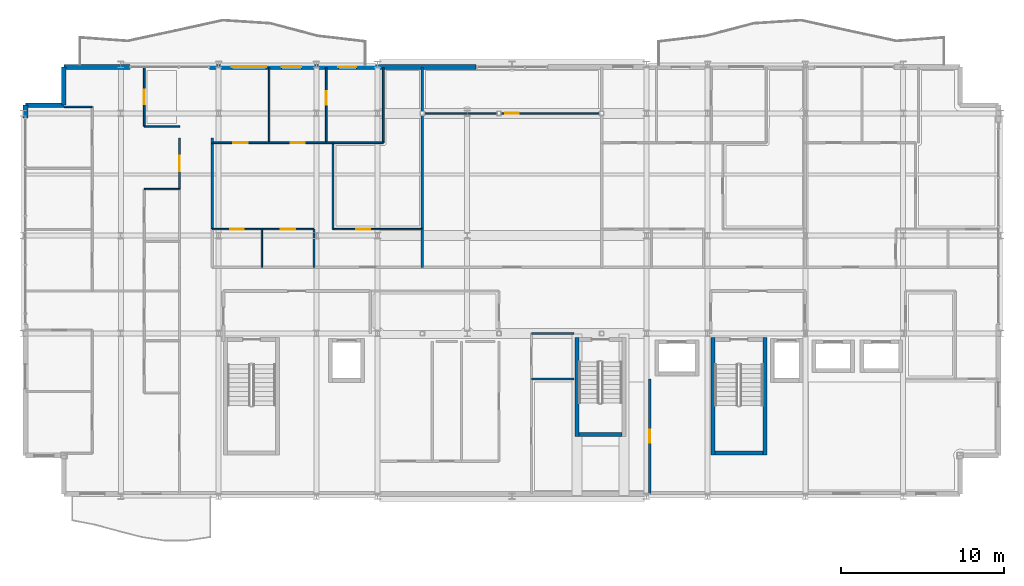
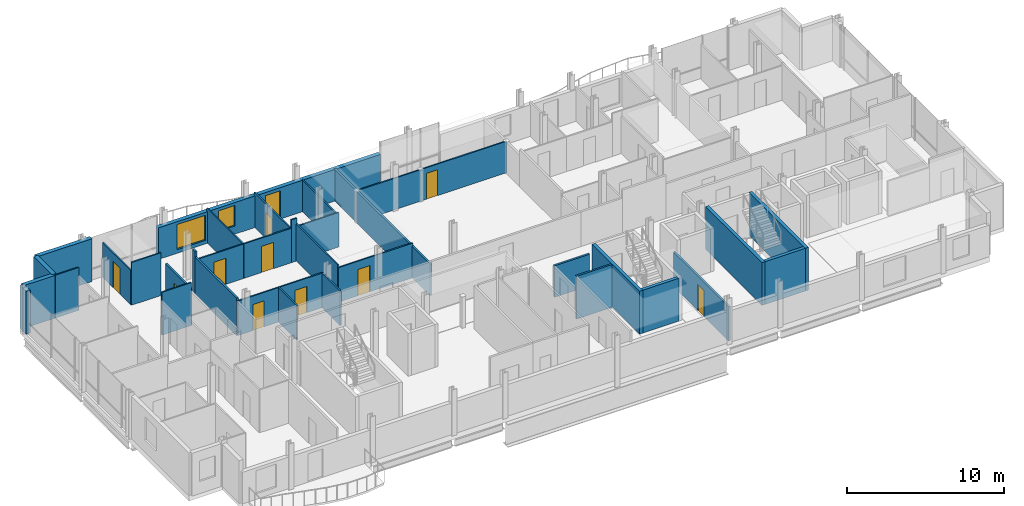
# One storey, part 28 of 35: 37 walls, 11 doors, 2 windows, 13 openings.
"""IFC4 building model written with IfcOpenShell, lengths in metres."""

import ifcopenshell
import ifcopenshell.guid

model = None  # the IFC model being written
_history = None  # IfcOwnerHistory: only IFC2X3 demands one
_inside = {}  # id of a spatial element -> (the spatial element, [elements in it])
_under = {}  # id of a project, library or spatial element -> (it, [spatial elements below it])
_declared = {}  # id of a project -> (the project, [libraries it declares])
_typed = {}  # id of a type object -> (the type object, [elements of that type])
_made_of = {}  # id of a material, layer set ... -> (it, [elements and type objects made of it])


def new_model(schema):
    """Start an empty IFC model of exactly this schema.

    Asked for "IFC4X3", IfcOpenShell would pick the latest addendum, in which some entities
    have other attributes; the version numbers below select the first issue.
    IFC2X3 requires an IfcOwnerHistory on every rooted entity: one is made here for all.
    """
    global model, _history
    if schema == "IFC4X3":
        model = ifcopenshell.file(schema_version=(4, 3, 0, 0))
    else:
        model = ifcopenshell.file(schema=schema)
    _inside.clear()
    _under.clear()
    _declared.clear()
    _typed.clear()
    _made_of.clear()
    _history = None
    if model.schema == "IFC2X3":
        org = make("IfcOrganization", Name="unknown")
        user = make(
            "IfcPersonAndOrganization",
            ThePerson=make("IfcPerson", FamilyName="unknown"),
            TheOrganization=org,
        )
        app = make(
            "IfcApplication",
            ApplicationDeveloper=org,
            Version="unknown",
            ApplicationFullName="unknown",
            ApplicationIdentifier="unknown",
        )
        _history = make(
            "IfcOwnerHistory",
            OwningUser=user,
            OwningApplication=app,
            ChangeAction="ADDED",
            CreationDate=0,
        )
    return model


def make(cls, **values):
    """One entity of the class cls with the attributes given. An attribute that is None is left unset."""
    return model.create_entity(
        cls, **{name: value for name, value in values.items() if value is not None}
    )


def rooted(cls, **values):
    """An entity with a GlobalId (a new one), such as an element, a storey or a relation."""
    return make(cls, GlobalId=ifcopenshell.guid.new(), OwnerHistory=_history, **values)


def si_unit(unit_type, name, prefix=None):
    """IfcSIUnit, for example si_unit("LENGTHUNIT", "METRE", prefix="MILLI")."""
    return make("IfcSIUnit", UnitType=unit_type, Prefix=prefix, Name=name)


def assignment(units):
    """IfcUnitAssignment: the units of a project."""
    return None if units is None else make("IfcUnitAssignment", Units=units)


def point(xyz):
    """IfcCartesianPoint."""
    return None if xyz is None else make("IfcCartesianPoint", Coordinates=xyz)


def direction(xyz):
    """IfcDirection."""
    return None if xyz is None else make("IfcDirection", DirectionRatios=xyz)


def frame(location, z_axis=None, x_axis=None):
    """IfcAxis2Placement3D, a coordinate frame: its origin and axes. An axis left out is left unset."""
    return make(
        "IfcAxis2Placement3D",
        Location=point(location),
        Axis=direction(z_axis),
        RefDirection=direction(x_axis),
    )


def frame_2d(location, x_axis=None):
    """IfcAxis2Placement2D, a coordinate frame in the plane: its origin and x axis."""
    return make(
        "IfcAxis2Placement2D", Location=point(location), RefDirection=direction(x_axis)
    )


def origin():
    """The frame at (0, 0, 0) with its axes left unset."""
    return frame((0.0, 0.0, 0.0))


def place(relative_to, where):
    """IfcLocalPlacement: puts the frame where relative to a parent placement (None: the world)."""
    return make(
        "IfcLocalPlacement", PlacementRelTo=relative_to, RelativePlacement=where
    )


def context(
    kind, dimensions, precision=None, world=None, true_north=None, identifier=None
):
    """IfcGeometricRepresentationContext, for example the 3D "Model" context."""
    return make(
        "IfcGeometricRepresentationContext",
        ContextIdentifier=identifier,
        ContextType=kind,
        CoordinateSpaceDimension=dimensions,
        Precision=precision,
        WorldCoordinateSystem=world,
        TrueNorth=true_north,
    )


def subcontext(parent, identifier, kind, view, scale=None):
    """IfcGeometricRepresentationSubContext, for example "Body" below "Model"."""
    return make(
        "IfcGeometricRepresentationSubContext",
        ContextIdentifier=identifier,
        ContextType=kind,
        ParentContext=parent,
        TargetScale=scale,
        TargetView=view,
    )


def project(units=None, contexts=None):
    """IfcProject with its units and contexts."""
    return rooted(
        "IfcProject",
        Name="project",
        RepresentationContexts=contexts,
        UnitsInContext=assignment(units),
    )


def spatial(cls, under=None, at=None, **own):
    """A site, building, storey or space (cls), placed at a placement, below another one or the project."""
    s = rooted(cls, ObjectPlacement=at, **own)
    if under is not None:
        _under.setdefault(under.id(), (under, []))[1].append(s)
    return s


def profile(cls, at=None, kind="AREA", **sizes):
    """A parametric profile (cls). Its sizes go by their IFC names, for example OverallWidth=200.0."""
    return make(cls, ProfileType=kind, Position=at, **sizes)


def rectangle(**sizes):
    """IfcRectangleProfileDef."""
    return profile("IfcRectangleProfileDef", **sizes)


def extrude(swept, where, along, depth):
    """IfcExtrudedAreaSolid: the profile swept, set in the frame where, extruded along a direction by depth."""
    return make(
        "IfcExtrudedAreaSolid",
        SweptArea=swept,
        Position=where,
        ExtrudedDirection=direction(along),
        Depth=depth,
    )


def shape(context_of_items, identifier, shape_type, items):
    """IfcShapeRepresentation: the items that make up one representation, for example the "Body"."""
    return make(
        "IfcShapeRepresentation",
        ContextOfItems=context_of_items,
        RepresentationIdentifier=identifier,
        RepresentationType=shape_type,
        Items=items,
    )


def material(Name=None, Category=None):
    """IfcMaterial."""
    return make("IfcMaterial", Name=Name, Category=Category)


def layer(
    of_material, thickness, ventilated=None, Name=None, Category=None, Priority=None
):
    """IfcMaterialLayer: one layer of a wall or slab, of a material (None: an air gap)."""
    return make(
        "IfcMaterialLayer",
        Material=of_material,
        LayerThickness=thickness,
        IsVentilated=ventilated,
        Name=Name,
        Category=Category,
        Priority=Priority,
    )


def layer_set(layers, Name=None):
    """IfcMaterialLayerSet."""
    return make("IfcMaterialLayerSet", MaterialLayers=layers, LayerSetName=Name)


def made_of(thing, what):
    """Note that an element or type object is made of a material, layer set ...; save() writes the relation."""
    if what is not None:
        _made_of.setdefault(what.id(), (what, []))[1].append(thing)
    return thing


def type_object(cls, material=None, **own):
    """A type object (cls), such as IfcWallType, which elements share."""
    return made_of(rooted(cls, **own), material)


def element(
    cls,
    number,
    at=None,
    inside=None,
    cuts=None,
    type_object=None,
    material=None,
    context=None,
    identifier="Body",
    shape_type=None,
    held_by="IfcProductDefinitionShape",
    body=None,
    shapes=None,
    **own,
):
    """One element of the class cls, such as IfcWall. Its Tag is "e" and its number.

    at: its placement. inside: the storey or other place that contains it. cuts: it is an
    opening in that element (IfcRelVoidsElement). A single representation is given by context,
    identifier, shape_type and body (its items); several are given by shapes. held_by: the class
    of the entity that holds the representations. save() writes the other relations.
    """
    e = rooted(cls, Tag="e%d" % number, ObjectPlacement=at, **own)
    if body is not None:
        shapes = [shape(context, identifier, shape_type, body)]
    if shapes is not None:
        e.Representation = make(held_by, Representations=shapes)
    if inside is not None:
        _inside.setdefault(inside.id(), (inside, []))[1].append(e)
    if cuts is not None:
        rooted(
            "IfcRelVoidsElement", RelatingBuildingElement=cuts, RelatedOpeningElement=e
        )
    if type_object is not None:
        _typed.setdefault(type_object.id(), (type_object, []))[1].append(e)
    return made_of(e, material)


def fill(opening, filler):
    """IfcRelFillsElement: the door or window that sits in an opening."""
    return rooted(
        "IfcRelFillsElement",
        RelatingOpeningElement=opening,
        RelatedBuildingElement=filler,
    )


def aggregate(whole, parts):
    """IfcRelAggregates: a whole, such as a stair, and the parts it consists of."""
    return rooted("IfcRelAggregates", RelatingObject=whole, RelatedObjects=parts)


def save(model, path):
    """Write the relations noted so far, then the file.

    IfcRelAggregates (storeys below a building ...), IfcRelContainedInSpatialStructure (elements
    in a storey), IfcRelDefinesByType, IfcRelAssociatesMaterial and IfcRelDeclares: one each for
    every whole, place, type object, material and project.
    """
    for whole, parts in _under.values():
        aggregate(whole, parts)
    for where, things in _inside.values():
        rooted(
            "IfcRelContainedInSpatialStructure",
            RelatedElements=things,
            RelatingStructure=where,
        )
    for kind, things in _typed.values():
        rooted("IfcRelDefinesByType", RelatedObjects=things, RelatingType=kind)
    for what, things in _made_of.values():
        rooted("IfcRelAssociatesMaterial", RelatedObjects=things, RelatingMaterial=what)
    for by, libraries in _declared.values():
        rooted("IfcRelDeclares", RelatingContext=by, RelatedDefinitions=libraries)
    model.write(path)


model = new_model("IFC4")

# Units and contexts
model_context = context("Model", 3, precision=1e-05, world=origin(), true_north=direction((0.0, 1.0)))
body_context = subcontext(model_context, "Body", "Model", "MODEL_VIEW")
ifc_project = project(units=[si_unit("LENGTHUNIT", "METRE"), si_unit("AREAUNIT", "SQUARE_METRE"), si_unit("VOLUMEUNIT", "CUBIC_METRE"), si_unit("PLANEANGLEUNIT", "RADIAN"), si_unit("MASSUNIT", "GRAM", prefix="KILO")], contexts=[model_context])

# Site, building, storey
site_placement = place(None, origin())
site = spatial("IfcSite", under=ifc_project, at=site_placement, CompositionType="ELEMENT")
building_placement = place(site_placement, origin())
building = spatial("IfcBuilding", under=site, at=building_placement, Name="Brevholm Reach", CompositionType="ELEMENT")
storey_placement = place(building_placement, frame((0.0, 0.0, 214.39990234375)))
storey = spatial("IfcBuildingStorey", under=building, at=storey_placement, Name="L65", CompositionType="ELEMENT", Elevation=214.39990234375)

# Walls
ifc_material_1 = material(Name="Concrete C45/55", Category="concrete")
ifc_layer_1 = layer(ifc_material_1, 0.239990234375)
ifc_layer_set_1 = layer_set([ifc_layer_1], Name="Concrete C45/55")
wall_type_1 = type_object("IfcWallType", Name="WAL-COR-240", PredefinedType="SHEAR", material=ifc_layer_set_1)
for number, where, z_axis, x_axis, name in (
    (1, (42.330078125, 2.5400390625, 0.0), (0.0, 0.0, 1.0), (0.0, 1.0, 0.0), "L65 Escape Stair ST-2 Core Wall W"),
    (2, (45.52001953125, 2.5400390625, 0.0), (0.0, 0.0, 1.0), (0.0, 1.0, 0.0), "L65 Escape Stair ST-2 Core Wall E"),
):
    element("IfcWall", number, at=place(storey_placement, frame(where, z_axis=z_axis, x_axis=x_axis)), inside=storey, type_object=wall_type_1, Name=name, PredefinedType="SHEAR", context=body_context, shape_type="SweptSolid", body=[
        extrude(rectangle(XDim=7.199951171875, YDim=0.239990234375, at=frame_2d((3.60009765625, 0.0))), origin(), (0.0, 0.0, 1.0), 3.330078125),
    ])
wall_1_placement = place(storey_placement, frame((42.449951171875, 2.659912109375, 0.0), z_axis=(0.0, 0.0, 1.0), x_axis=(1.0, 0.0, 0.0)))
element("IfcWall", 3, at=wall_1_placement, inside=storey, type_object=wall_type_1, Name="L65 Escape Stair ST-2 Core Wall S", PredefinedType="SHEAR", context=body_context, shape_type="SweptSolid", body=[
    extrude(rectangle(XDim=2.949951171875, YDim=0.239990234375, at=frame_2d((1.47509765625, 0.0))), origin(), (0.0, 0.0, 1.0), 3.330078125),
])
wall_2_placement = place(storey_placement, frame((33.97998046875, 3.679931640625, 0.0), z_axis=(0.0, 0.0, 1.0), x_axis=(0.0, 1.0, 0.0)))
element("IfcWall", 4, at=wall_2_placement, inside=storey, type_object=wall_type_1, Name="L65 Escape Stair ST-3 Core Wall W", PredefinedType="SHEAR", context=body_context, shape_type="SweptSolid", body=[
    extrude(rectangle(XDim=6.06005859375, YDim=0.239990234375, at=frame_2d((3.030029296875, 0.0))), origin(), (0.0, 0.0, 1.0), 3.330078125),
])
wall_3_placement = place(storey_placement, frame((34.10009765625, 3.800048828125, 0.0), z_axis=(0.0, 0.0, 1.0), x_axis=(1.0, 0.0, 0.0)))
element("IfcWall", 5, at=wall_3_placement, inside=storey, type_object=wall_type_1, Name="L65 Escape Stair ST-3 Core Wall S", PredefinedType="SHEAR", context=body_context, shape_type="SweptSolid", body=[
    extrude(rectangle(XDim=2.64990234375, YDim=0.239990234375, at=frame_2d((1.324951171875, 0.0))), origin(), (0.0, 0.0, 1.0), 3.330078125),
])
ifc_material_2 = material(Name="Concrete C40/50", Category="concrete")
ifc_layer_2 = layer(ifc_material_2, 0.300048828125)
ifc_layer_set_2 = layer_set([ifc_layer_2], Name="Concrete C40/50")
wall_type_2 = type_object("IfcWallType", Name="WAL-EXT-300", PredefinedType="STANDARD", material=ifc_layer_set_2)
for number, where, z_axis, x_axis, name in (
    (6, (2.5, 26.35009765625, 0.0), (0.0, 0.0, 1.0), (0.0, -1.0, 0.0), "L65 Facade Wall WAL-L65-CNW1"),
    (7, (2.5, 24.0, 0.0), (0.0, 0.0, 1.0), (-1.0, 0.0, 0.0), "L65 Facade Wall WAL-L65-CNW2"),
):
    element("IfcWall", number, at=place(storey_placement, frame(where, z_axis=z_axis, x_axis=x_axis)), inside=storey, type_object=wall_type_2, Name=name, PredefinedType="STANDARD", context=body_context, shape_type="SweptSolid", body=[
        extrude(rectangle(XDim=2.35009765625, YDim=0.300048828125, at=frame_2d((1.175048828125, 0.0))), origin(), (0.0, 0.0, 1.0), 3.330078125),
    ])
wall_4_placement = place(storey_placement, frame((0.14990234375, 24.0, 0.0), z_axis=(0.0, 0.0, 1.0), x_axis=(0.0, -1.0, 0.0)))
element("IfcWall", 8, at=wall_4_placement, inside=storey, type_object=wall_type_2, Name="L65 Facade Wall WAL-L65-W-N", PredefinedType="STANDARD", context=body_context, shape_type="SweptSolid", body=[
    extrude(rectangle(XDim=0.780029296875, YDim=0.300048828125, at=frame_2d((0.39013671875, 0.0))), origin(), (0.0, 0.0, 1.0), 3.330078125),
])
wall_5_placement = place(storey_placement, frame((2.5, 26.35009765625, 0.0), z_axis=(0.0, 0.0, 1.0), x_axis=(1.0, 0.0, 0.0)))
element("IfcWall", 9, at=wall_5_placement, inside=storey, type_object=wall_type_2, Name="L65 Facade Wall WAL-L65-NP-W0", PredefinedType="STANDARD", context=body_context, shape_type="SweptSolid", body=[
    extrude(rectangle(XDim=4.050048828125, YDim=0.300048828125, at=frame_2d((2.02490234375, 0.0))), origin(), (0.0, 0.0, 1.0), 3.330078125),
])

# Wall, openings, door, windows
wall_6_placement = place(storey_placement, frame((11.449951171875, 26.35009765625, 0.0), z_axis=(0.0, 0.0, 1.0), x_axis=(1.0, 0.0, 0.0)))
wall_6 = element("IfcWall", 10, at=wall_6_placement, inside=storey, type_object=wall_type_2, Name="L65 Facade Wall WAL-L65-NP-WL", PredefinedType="STANDARD", context=body_context, shape_type="SweptSolid", body=[
    extrude(rectangle(XDim=16.35009765625, YDim=0.300048828125, at=frame_2d((8.175048828125, 0.0))), origin(), (0.0, 0.0, 1.0), 2.4541015625),
])
opening_1_placement = place(wall_6_placement, frame((7.89794921875, 0.0, 0.0)))
opening_1 = element("IfcOpeningElement", 11, at=opening_1_placement, cuts=wall_6, Name="Opening BD-01", PredefinedType="OPENING", context=body_context, shape_type="SweptSolid", body=[
    extrude(rectangle(XDim=1.10009765625, YDim=2.199951171875, at=frame_2d((0.550048828125, 1.10009765625))), frame((0.0, 0.159912109375, 0.0), z_axis=(0.0, -1.0, 0.0), x_axis=(1.0, 0.0, 0.0)), (0.0, 0.0, 1.0), 0.320068359375),
])
opening_2_placement = place(wall_6_placement, frame((1.3701171875, 0.0, 0.283935546875)))
opening_2 = element("IfcOpeningElement", 12, at=opening_2_placement, cuts=wall_6, Name="Opening WN-07", PredefinedType="OPENING", context=body_context, shape_type="SweptSolid", body=[
    extrude(rectangle(XDim=2.10009765625, YDim=1.949951171875, at=frame_2d((1.050048828125, 0.97509765625))), frame((0.0, 0.159912109375, 0.0), z_axis=(0.0, -1.0, 0.0), x_axis=(1.0, 0.0, 0.0)), (0.0, 0.0, 1.0), 0.320068359375),
])
opening_3_placement = place(wall_6_placement, frame((4.42138671875, 0.0, 0.634033203125)))
opening_3 = element("IfcOpeningElement", 13, at=opening_3_placement, cuts=wall_6, Name="Opening WN-08", PredefinedType="OPENING", context=body_context, shape_type="SweptSolid", body=[
    extrude(rectangle(XDim=1.199951171875, YDim=1.60009765625, at=frame_2d((0.60009765625, 0.800048828125))), frame((0.0, 0.159912109375, 0.0), z_axis=(0.0, -1.0, 0.0), x_axis=(1.0, 0.0, 0.0)), (0.0, 0.0, 1.0), 0.320068359375),
])
ifc_material_3 = material(Name="Dark Anodised Aluminium and Triple-Glazed Glass", Category="aluminium")
door_type_1 = type_object("IfcDoorType", Name="DOR-BALC-1100", OperationType="NOTDEFINED", PredefinedType="DOOR", material=ifc_material_3)
door_1_placement = place(opening_1_placement, origin())
door_1 = element("IfcDoor", 14, at=door_1_placement, inside=storey, type_object=door_type_1, Name="L65 Exterior Door DOR-L65-BL-NW", OperationType="SINGLE_SWING_RIGHT", OverallHeight=2.199951171875, OverallWidth=1.10009765625, PredefinedType="DOOR", context=body_context, shape_type="SweptSolid", body=[
    extrude(rectangle(XDim=1.10009765625, YDim=2.199951171875, at=frame_2d((0.550048828125, 1.10009765625))), frame((0.0, 0.02490234375, 0.0), z_axis=(0.0, -1.0, 0.0), x_axis=(1.0, 0.0, 0.0)), (0.0, 0.0, 1.0), 0.050048828125),
])
fill(opening_1, door_1)
ifc_material_4 = material(Name="Dark Anodised Aluminium and Solar-Control IGU Glass", Category="aluminium")
window_type_1 = type_object("IfcWindowType", Name="WIN-RES-1200", PartitioningType="SINGLE_PANEL", PredefinedType="WINDOW", material=ifc_material_4)
window_1_placement = place(opening_3_placement, origin())
window_1 = element("IfcWindow", 15, at=window_1_placement, inside=storey, type_object=window_type_1, Name="L65 Bedroom Window 070", OverallHeight=1.60009765625, OverallWidth=1.199951171875, PartitioningType="SINGLE_PANEL", PredefinedType="WINDOW", context=body_context, shape_type="SweptSolid", body=[
    extrude(rectangle(XDim=1.199951171875, YDim=1.60009765625, at=frame_2d((0.60009765625, 0.800048828125))), frame((0.0, 0.030029296875, 0.0), z_axis=(0.0, -1.0, 0.0), x_axis=(1.0, 0.0, 0.0)), (0.0, 0.0, 1.0), 0.06005859375),
])
fill(opening_3, window_1)
ifc_material_5 = material(Name="Dark Anodised Aluminium and Solar-Control IGU Glass", Category="aluminium")
window_type_2 = type_object("IfcWindowType", Name="WIN-RES-2100", PartitioningType="SINGLE_PANEL", PredefinedType="WINDOW", material=ifc_material_5)
window_2_placement = place(opening_2_placement, origin())
window_2 = element("IfcWindow", 16, at=window_2_placement, inside=storey, type_object=window_type_2, Name="L65 Window WIN-L65-NP-WL1", OverallHeight=1.949951171875, OverallWidth=2.10009765625, PartitioningType="SINGLE_PANEL", PredefinedType="WINDOW", context=body_context, shape_type="SweptSolid", body=[
    extrude(rectangle(XDim=2.10009765625, YDim=1.949951171875, at=frame_2d((1.050048828125, 0.97509765625))), frame((0.0, 0.030029296875, 0.0), z_axis=(0.0, -1.0, 0.0), x_axis=(1.0, 0.0, 0.0)), (0.0, 0.0, 1.0), 0.06005859375),
])
fill(opening_2, window_2)

# Walls
ifc_material_6 = material(Name="Moisture-Resistant Acoustic Gypsum Stud Partition 100 mm", Category="gypsum")
ifc_layer_3 = layer(ifc_material_6, 0.10009765625)
ifc_layer_set_3 = layer_set([ifc_layer_3], Name="Moisture-Resistant Acoustic Gypsum Stud Partition 100 mm")
wall_type_3 = type_object("IfcWallType", Name="WAL-PRT-100", PredefinedType="PARTITIONING", material=ifc_layer_set_3)
wall_7_placement = place(storey_placement, frame((7.43798828125, 18.85009765625, 0.0), z_axis=(0.0, 0.0, 1.0), x_axis=(1.0, 0.0, 0.0)))
element("IfcWall", 17, at=wall_7_placement, inside=storey, type_object=wall_type_3, Name="L65 Internal Partition 059", PredefinedType="PARTITIONING", context=body_context, shape_type="SweptSolid", body=[
    extrude(rectangle(XDim=2.157958984375, YDim=0.10009765625, at=frame_2d((1.0791015625, 0.0))), origin(), (0.0, 0.0, 1.0), 3.330078125),
])
wall_8_placement = place(storey_placement, frame((7.43798828125, 22.699951171875, 0.0), z_axis=(0.0, 0.0, 1.0), x_axis=(1.0, 0.0, 0.0)))
element("IfcWall", 18, at=wall_8_placement, inside=storey, type_object=wall_type_3, Name="L65 Internal Partition 061", PredefinedType="PARTITIONING", context=body_context, shape_type="SweptSolid", body=[
    extrude(rectangle(XDim=2.162109375, YDim=0.10009765625, at=frame_2d((1.0810546875, 0.0))), origin(), (0.0, 0.0, 1.0), 3.330078125),
])

# Wall, opening, door
wall_9_placement = place(storey_placement, frame((7.43798828125, 22.699951171875, 0.0), z_axis=(0.0, 0.0, 1.0), x_axis=(0.0, 1.0, 0.0)))
wall_9 = element("IfcWall", 19, at=wall_9_placement, inside=storey, type_object=wall_type_3, Name="L65 Internal Partition 062", PredefinedType="PARTITIONING", context=body_context, shape_type="SweptSolid", body=[
    extrude(rectangle(XDim=3.60009765625, YDim=0.10009765625, at=frame_2d((1.800048828125, 0.0))), origin(), (0.0, 0.0, 1.0), 2.684814453125),
])
opening_4_placement = place(wall_9_placement, frame((1.360107421875, 0.0, 0.0)))
opening_4 = element("IfcOpeningElement", 20, at=opening_4_placement, cuts=wall_9, Name="Opening ID-01", PredefinedType="OPENING", context=body_context, shape_type="SweptSolid", body=[
    extrude(rectangle(XDim=0.8798828125, YDim=2.0400390625, at=frame_2d((0.43994140625, 1.02001953125))), frame((0.0, 0.06005859375, 0.0), z_axis=(0.0, -1.0, 0.0), x_axis=(1.0, 0.0, 0.0)), (0.0, 0.0, 1.0), 0.1201171875),
])
ifc_material_7 = material(Name="Lacquered Ash Solid-Core Acoustic Internal Door", Category="timber")
door_type_2 = type_object("IfcDoorType", Name="DOR-INT-880", OperationType="NOTDEFINED", PredefinedType="DOOR", material=ifc_material_7)
door_2_placement = place(opening_4_placement, origin())
door_2 = element("IfcDoor", 21, at=door_2_placement, inside=storey, type_object=door_type_2, Name="L65 Internal Door 026", OperationType="SINGLE_SWING_LEFT", OverallHeight=2.0400390625, OverallWidth=0.8798828125, PredefinedType="DOOR", context=body_context, shape_type="SweptSolid", body=[
    extrude(rectangle(XDim=0.8798828125, YDim=2.0400390625, at=frame_2d((0.43994140625, 1.02001953125))), frame((0.0, 0.02490234375, 0.0), z_axis=(0.0, -1.0, 0.0), x_axis=(1.0, 0.0, 0.0)), (0.0, 0.0, 1.0), 0.050048828125),
])
fill(opening_4, door_2)

# Walls
wall_10_placement = place(storey_placement, frame((2.52001953125, 23.90087890625, 0.0), z_axis=(0.0, 0.0, 1.0), x_axis=(1.0, 0.0, 0.0)))
element("IfcWall", 22, at=wall_10_placement, inside=storey, type_object=wall_type_3, Name="L65 Internal Partition 067", PredefinedType="PARTITIONING", context=body_context, shape_type="SweptSolid", body=[
    extrude(rectangle(XDim=1.721923828125, YDim=0.10009765625, at=frame_2d((0.86083984375, 0.0))), origin(), (0.0, 0.0, 1.0), 3.330078125),
])
wall_11_placement = place(storey_placement, frame((14.64990234375, 14.053955078125, 0.0), z_axis=(0.0, 0.0, 1.0), x_axis=(0.0, 1.0, 0.0)))
element("IfcWall", 23, at=wall_11_placement, inside=storey, type_object=wall_type_3, Name="L65 Internal Partition 069", PredefinedType="PARTITIONING", context=body_context, shape_type="SweptSolid", body=[
    extrude(rectangle(XDim=2.345947265625, YDim=0.10009765625, at=frame_2d((1.1728515625, 0.0))), origin(), (0.0, 0.0, 1.0), 2.684814453125),
])

# Wall, opening, door
wall_12_placement = place(storey_placement, frame((11.60400390625, 16.39990234375, 0.0), z_axis=(0.0, 0.0, 1.0), x_axis=(1.0, 0.0, 0.0)))
wall_12 = element("IfcWall", 24, at=wall_12_placement, inside=storey, type_object=wall_type_3, Name="L65 Internal Partition 070", PredefinedType="PARTITIONING", context=body_context, shape_type="SweptSolid", body=[
    extrude(rectangle(XDim=3.0458984375, YDim=0.10009765625, at=frame_2d((1.52294921875, 0.0))), origin(), (0.0, 0.0, 1.0), 2.684814453125),
])
opening_5_placement = place(wall_12_placement, frame((1.113037109375, 0.0, 0.0)))
opening_5 = element("IfcOpeningElement", 25, at=opening_5_placement, cuts=wall_12, Name="Opening ID-03", PredefinedType="OPENING", context=body_context, shape_type="SweptSolid", body=[
    extrude(rectangle(XDim=0.820068359375, YDim=2.02001953125, at=frame_2d((0.41015625, 1.010009765625))), frame((0.0, 0.06005859375, 0.0), z_axis=(0.0, -1.0, 0.0), x_axis=(1.0, 0.0, 0.0)), (0.0, 0.0, 1.0), 0.1201171875),
])
ifc_material_8 = material(Name="Moisture-Resistant Painted Timber Internal Bathroom Door", Category="wood")
door_type_3 = type_object("IfcDoorType", Name="DOR-BATH-820", OperationType="NOTDEFINED", PredefinedType="DOOR", material=ifc_material_8)
door_3_placement = place(opening_5_placement, origin())
door_3 = element("IfcDoor", 26, at=door_3_placement, inside=storey, type_object=door_type_3, Name="L65 Internal Door 030", OperationType="SINGLE_SWING_LEFT", OverallHeight=2.02001953125, OverallWidth=0.820068359375, PredefinedType="DOOR", context=body_context, shape_type="SweptSolid", body=[
    extrude(rectangle(XDim=0.820068359375, YDim=2.02001953125, at=frame_2d((0.41015625, 1.010009765625))), frame((0.0, 0.02490234375, 0.0), z_axis=(0.0, -1.0, 0.0), x_axis=(1.0, 0.0, 0.0)), (0.0, 0.0, 1.0), 0.050048828125),
])
fill(opening_5, door_3)

# Wall
wall_13_placement = place(storey_placement, frame((17.85009765625, 14.053955078125, 0.0), z_axis=(0.0, 0.0, 1.0), x_axis=(0.0, 1.0, 0.0)))
element("IfcWall", 27, at=wall_13_placement, inside=storey, type_object=wall_type_3, Name="L65 Internal Partition 071", PredefinedType="PARTITIONING", context=body_context, shape_type="SweptSolid", body=[
    extrude(rectangle(XDim=2.345947265625, YDim=0.10009765625, at=frame_2d((1.1728515625, 0.0))), origin(), (0.0, 0.0, 1.0), 2.684814453125),
])

# Wall, opening, door
wall_14_placement = place(storey_placement, frame((14.654052734375, 16.39990234375, 0.0), z_axis=(0.0, 0.0, 1.0), x_axis=(1.0, 0.0, 0.0)))
wall_14 = element("IfcWall", 28, at=wall_14_placement, inside=storey, type_object=wall_type_3, Name="L65 Internal Partition 072", PredefinedType="PARTITIONING", context=body_context, shape_type="SweptSolid", body=[
    extrude(rectangle(XDim=3.196044921875, YDim=0.10009765625, at=frame_2d((1.59814453125, 0.0))), origin(), (0.0, 0.0, 1.0), 2.684814453125),
])
opening_6_placement = place(wall_14_placement, frame((1.157958984375, 0.0, 0.0)))
opening_6 = element("IfcOpeningElement", 29, at=opening_6_placement, cuts=wall_14, Name="Opening ID-01", PredefinedType="OPENING", context=body_context, shape_type="SweptSolid", body=[
    extrude(rectangle(XDim=0.8798828125, YDim=2.0400390625, at=frame_2d((0.43994140625, 1.02001953125))), frame((0.0, 0.06005859375, 0.0), z_axis=(0.0, -1.0, 0.0), x_axis=(1.0, 0.0, 0.0)), (0.0, 0.0, 1.0), 0.1201171875),
])
door_4_placement = place(opening_6_placement, origin())
door_4 = element("IfcDoor", 30, at=door_4_placement, inside=storey, type_object=door_type_2, Name="L65 Internal Door 031", OperationType="SINGLE_SWING_RIGHT", OverallHeight=2.0400390625, OverallWidth=0.8798828125, PredefinedType="DOOR", context=body_context, shape_type="SweptSolid", body=[
    extrude(rectangle(XDim=0.8798828125, YDim=2.0400390625, at=frame_2d((0.43994140625, 1.02001953125))), frame((0.0, 0.02490234375, 0.0), z_axis=(0.0, -1.0, 0.0), x_axis=(1.0, 0.0, 0.0)), (0.0, 0.0, 1.0), 0.050048828125),
])
fill(opening_6, door_4)

# Wall
wall_15_placement = place(storey_placement, frame((15.10009765625, 21.699951171875, 0.0), z_axis=(0.0, 0.0, 1.0), x_axis=(0.0, 1.0, 0.0)))
element("IfcWall", 31, at=wall_15_placement, inside=storey, type_object=wall_type_3, Name="L65 Internal Partition 073", PredefinedType="PARTITIONING", context=body_context, shape_type="SweptSolid", body=[
    extrude(rectangle(XDim=4.60009765625, YDim=0.10009765625, at=frame_2d((2.300048828125, 0.0))), origin(), (0.0, 0.0, 1.0), 2.684814453125),
])

# Wall, opening, door
wall_16_placement = place(storey_placement, frame((11.60400390625, 21.699951171875, 0.0), z_axis=(0.0, 0.0, 1.0), x_axis=(1.0, 0.0, 0.0)))
wall_16 = element("IfcWall", 32, at=wall_16_placement, inside=storey, type_object=wall_type_3, Name="L65 Internal Partition 074", PredefinedType="PARTITIONING", context=body_context, shape_type="SweptSolid", body=[
    extrude(rectangle(XDim=3.49609375, YDim=0.10009765625, at=frame_2d((1.748046875, 0.0))), origin(), (0.0, 0.0, 1.0), 2.684814453125),
])
opening_7_placement = place(wall_16_placement, frame((1.30810546875, 0.0, 0.0)))
opening_7 = element("IfcOpeningElement", 33, at=opening_7_placement, cuts=wall_16, Name="Opening ID-01", PredefinedType="OPENING", context=body_context, shape_type="SweptSolid", body=[
    extrude(rectangle(XDim=0.8798828125, YDim=2.0400390625, at=frame_2d((0.43994140625, 1.02001953125))), frame((0.0, 0.06005859375, 0.0), z_axis=(0.0, -1.0, 0.0), x_axis=(1.0, 0.0, 0.0)), (0.0, 0.0, 1.0), 0.1201171875),
])
door_5_placement = place(opening_7_placement, origin())
door_5 = element("IfcDoor", 34, at=door_5_placement, inside=storey, type_object=door_type_2, Name="L65 Internal Door 032", OperationType="SINGLE_SWING_LEFT", OverallHeight=2.0400390625, OverallWidth=0.8798828125, PredefinedType="DOOR", context=body_context, shape_type="SweptSolid", body=[
    extrude(rectangle(XDim=0.8798828125, YDim=2.0400390625, at=frame_2d((0.43994140625, 1.02001953125))), frame((0.0, 0.02490234375, 0.0), z_axis=(0.0, -1.0, 0.0), x_axis=(1.0, 0.0, 0.0)), (0.0, 0.0, 1.0), 0.050048828125),
])
fill(opening_7, door_5)

wall_17_placement = place(storey_placement, frame((18.60009765625, 21.699951171875, 0.0), z_axis=(0.0, 0.0, 1.0), x_axis=(0.0, 1.0, 0.0)))
wall_17 = element("IfcWall", 35, at=wall_17_placement, inside=storey, type_object=wall_type_3, Name="L65 Internal Partition 075", PredefinedType="PARTITIONING", context=body_context, shape_type="SweptSolid", body=[
    extrude(rectangle(XDim=4.60009765625, YDim=0.10009765625, at=frame_2d((2.300048828125, 0.0))), origin(), (0.0, 0.0, 1.0), 2.684814453125),
])
opening_8_placement = place(wall_17_placement, frame((2.330078125, 0.0, 0.0)))
opening_8 = element("IfcOpeningElement", 36, at=opening_8_placement, cuts=wall_17, Name="Opening ID-03", PredefinedType="OPENING", context=body_context, shape_type="SweptSolid", body=[
    extrude(rectangle(XDim=0.820068359375, YDim=2.02001953125, at=frame_2d((0.41015625, 1.010009765625))), frame((0.0, 0.06005859375, 0.0), z_axis=(0.0, -1.0, 0.0), x_axis=(1.0, 0.0, 0.0)), (0.0, 0.0, 1.0), 0.1201171875),
])
door_6_placement = place(opening_8_placement, origin())
door_6 = element("IfcDoor", 37, at=door_6_placement, inside=storey, type_object=door_type_3, Name="L65 Access Door 045", OperationType="SINGLE_SWING_RIGHT", OverallHeight=2.02001953125, OverallWidth=0.820068359375, PredefinedType="DOOR", context=body_context, shape_type="SweptSolid", body=[
    extrude(rectangle(XDim=0.820068359375, YDim=2.02001953125, at=frame_2d((0.41015625, 1.010009765625))), frame((0.0, 0.02490234375, 0.0), z_axis=(0.0, -1.0, 0.0), x_axis=(1.0, 0.0, 0.0)), (0.0, 0.0, 1.0), 0.050048828125),
])
fill(opening_8, door_6)

wall_18_placement = place(storey_placement, frame((15.10400390625, 21.699951171875, 0.0), z_axis=(0.0, 0.0, 1.0), x_axis=(1.0, 0.0, 0.0)))
wall_18 = element("IfcWall", 38, at=wall_18_placement, inside=storey, type_object=wall_type_3, Name="L65 Internal Partition 076", PredefinedType="PARTITIONING", context=body_context, shape_type="SweptSolid", body=[
    extrude(rectangle(XDim=3.49609375, YDim=0.10009765625, at=frame_2d((1.748046875, 0.0))), origin(), (0.0, 0.0, 1.0), 2.684814453125),
])
opening_9_placement = place(wall_18_placement, frame((1.30810546875, 0.0, 0.0)))
opening_9 = element("IfcOpeningElement", 39, at=opening_9_placement, cuts=wall_18, Name="Opening ID-01", PredefinedType="OPENING", context=body_context, shape_type="SweptSolid", body=[
    extrude(rectangle(XDim=0.8798828125, YDim=2.0400390625, at=frame_2d((0.43994140625, 1.02001953125))), frame((0.0, 0.06005859375, 0.0), z_axis=(0.0, -1.0, 0.0), x_axis=(1.0, 0.0, 0.0)), (0.0, 0.0, 1.0), 0.1201171875),
])
door_7_placement = place(opening_9_placement, origin())
door_7 = element("IfcDoor", 40, at=door_7_placement, inside=storey, type_object=door_type_2, Name="L65 Internal Door 033", OperationType="SINGLE_SWING_RIGHT", OverallHeight=2.0400390625, OverallWidth=0.8798828125, PredefinedType="DOOR", context=body_context, shape_type="SweptSolid", body=[
    extrude(rectangle(XDim=0.8798828125, YDim=2.0400390625, at=frame_2d((0.43994140625, 1.02001953125))), frame((0.0, 0.02490234375, 0.0), z_axis=(0.0, -1.0, 0.0), x_axis=(1.0, 0.0, 0.0)), (0.0, 0.0, 1.0), 0.050048828125),
])
fill(opening_9, door_7)

# Walls
wall_19_placement = place(storey_placement, frame((19.003662109375, 21.699951171875, 0.0), z_axis=(0.0, 0.0, 1.0), x_axis=(1.0, 0.0, 0.0)))
element("IfcWall", 41, at=wall_19_placement, inside=storey, type_object=wall_type_3, Name="L65 Internal Partition 077", PredefinedType="PARTITIONING", context=body_context, shape_type="SweptSolid", body=[
    extrude(rectangle(XDim=3.096435546875, YDim=0.10009765625, at=frame_2d((1.54833984375, 0.0))), origin(), (0.0, 0.0, 1.0), 2.684814453125),
])
wall_20_placement = place(storey_placement, frame((22.10009765625, 21.699951171875, 0.0), z_axis=(0.0, 0.0, 1.0), x_axis=(0.0, 1.0, 0.0)))
element("IfcWall", 42, at=wall_20_placement, inside=storey, type_object=wall_type_3, Name="L65 Internal Partition 078", PredefinedType="PARTITIONING", context=body_context, shape_type="SweptSolid", body=[
    extrude(rectangle(XDim=4.60009765625, YDim=0.10009765625, at=frame_2d((2.300048828125, 0.0))), origin(), (0.0, 0.0, 1.0), 2.4541015625),
])
wall_21_placement = place(storey_placement, frame((18.60400390625, 21.699951171875, 0.0), z_axis=(0.0, 0.0, 1.0), x_axis=(1.0, 0.0, 0.0)))
element("IfcWall", 43, at=wall_21_placement, inside=storey, type_object=wall_type_3, Name="L65 Internal Partition 079", PredefinedType="PARTITIONING", context=body_context, shape_type="SweptSolid", body=[
    extrude(rectangle(XDim=0.418212890625, YDim=0.10009765625, at=frame_2d((0.208984375, 0.0))), origin(), (0.0, 0.0, 1.0), 3.330078125),
])

# Wall, opening, door
wall_22_placement = place(storey_placement, frame((19.014892578125, 16.39990234375, 0.0), z_axis=(0.0, 0.0, 1.0), x_axis=(1.0, 0.0, 0.0)))
wall_22 = element("IfcWall", 44, at=wall_22_placement, inside=storey, type_object=wall_type_3, Name="L65 Internal Partition 080", PredefinedType="PARTITIONING", context=body_context, shape_type="SweptSolid", body=[
    extrude(rectangle(XDim=5.485107421875, YDim=0.10009765625, at=frame_2d((2.74267578125, 0.0))), origin(), (0.0, 0.0, 1.0), 2.684814453125),
])
opening_10_placement = place(wall_22_placement, frame((1.422607421875, 0.0, 0.0)))
opening_10 = element("IfcOpeningElement", 45, at=opening_10_placement, cuts=wall_22, Name="Opening ID-01", PredefinedType="OPENING", context=body_context, shape_type="SweptSolid", body=[
    extrude(rectangle(XDim=0.8798828125, YDim=2.0400390625, at=frame_2d((0.43994140625, 1.02001953125))), frame((0.0, 0.06005859375, 0.0), z_axis=(0.0, -1.0, 0.0), x_axis=(1.0, 0.0, 0.0)), (0.0, 0.0, 1.0), 0.1201171875),
])
door_8_placement = place(opening_10_placement, origin())
door_8 = element("IfcDoor", 46, at=door_8_placement, inside=storey, type_object=door_type_2, Name="L65 Internal Door 034", OperationType="SINGLE_SWING_LEFT", OverallHeight=2.0400390625, OverallWidth=0.8798828125, PredefinedType="DOOR", context=body_context, shape_type="SweptSolid", body=[
    extrude(rectangle(XDim=0.8798828125, YDim=2.0400390625, at=frame_2d((0.43994140625, 1.02001953125))), frame((0.0, 0.02490234375, 0.0), z_axis=(0.0, -1.0, 0.0), x_axis=(1.0, 0.0, 0.0)), (0.0, 0.0, 1.0), 0.050048828125),
])
fill(opening_10, door_8)

# Wall
wall_23_placement = place(storey_placement, frame((19.014892578125, 16.39990234375, 0.0), z_axis=(0.0, 0.0, 1.0), x_axis=(0.0, 1.0, 0.0)))
element("IfcWall", 47, at=wall_23_placement, inside=storey, type_object=wall_type_3, Name="L65 Internal Partition 081", PredefinedType="PARTITIONING", context=body_context, shape_type="SweptSolid", body=[
    extrude(rectangle(XDim=5.296142578125, YDim=0.10009765625, at=frame_2d((2.64794921875, 0.0))), origin(), (0.0, 0.0, 1.0), 2.898681640625),
])

# Wall, opening, door
wall_24_placement = place(storey_placement, frame((24.50390625, 23.5, 0.0), z_axis=(0.0, 0.0, 1.0), x_axis=(1.0, 0.0, 0.0)))
wall_24 = element("IfcWall", 48, at=wall_24_placement, inside=storey, type_object=wall_type_3, Name="L65 Internal Partition 085", PredefinedType="PARTITIONING", context=body_context, shape_type="SweptSolid", body=[
    extrude(rectangle(XDim=10.99609375, YDim=0.10009765625, at=frame_2d((5.498046875, 0.0))), origin(), (0.0, 0.0, 1.0), 2.4541015625),
])
opening_11_placement = place(wall_24_placement, frame((5.087890625, 0.0, 0.0)))
opening_11 = element("IfcOpeningElement", 49, at=opening_11_placement, cuts=wall_24, Name="Opening ID-03", PredefinedType="OPENING", context=body_context, shape_type="SweptSolid", body=[
    extrude(rectangle(XDim=0.820068359375, YDim=2.02001953125, at=frame_2d((0.41015625, 1.010009765625))), frame((0.0, 0.06005859375, 0.0), z_axis=(0.0, -1.0, 0.0), x_axis=(1.0, 0.0, 0.0)), (0.0, 0.0, 1.0), 0.1201171875),
])
door_9_placement = place(opening_11_placement, origin())
door_9 = element("IfcDoor", 50, at=door_9_placement, inside=storey, type_object=door_type_3, Name="L65 Access Door 046", OperationType="SINGLE_SWING_LEFT", OverallHeight=2.02001953125, OverallWidth=0.820068359375, PredefinedType="DOOR", context=body_context, shape_type="SweptSolid", body=[
    extrude(rectangle(XDim=0.820068359375, YDim=2.02001953125, at=frame_2d((0.41015625, 1.010009765625))), frame((0.0, 0.02490234375, 0.0), z_axis=(0.0, -1.0, 0.0), x_axis=(1.0, 0.0, 0.0)), (0.0, 0.0, 1.0), 0.050048828125),
])
fill(opening_11, door_9)

# Wall
ifc_material_9 = material(Name="Twin-Stud Acoustic Fire-Rated Gypsum Partition 140 mm", Category="gypsum")
ifc_layer_4 = layer(ifc_material_9, 0.139892578125)
ifc_layer_set_4 = layer_set([ifc_layer_4], Name="Twin-Stud Acoustic Fire-Rated Gypsum Partition 140 mm")
wall_type_4 = type_object("IfcWallType", Name="WAL-PRT-140", PredefinedType="PARTITIONING", material=ifc_layer_set_4)
wall_25_placement = place(storey_placement, frame((31.2041015625, 7.199951171875, 0.0), z_axis=(0.0, 0.0, 1.0), x_axis=(1.0, 0.0, 0.0)))
element("IfcWall", 51, at=wall_25_placement, inside=storey, type_object=wall_type_4, Name="L65 Internal Partition 010", PredefinedType="PARTITIONING", context=body_context, shape_type="SweptSolid", body=[
    extrude(rectangle(XDim=2.607177734375, YDim=0.139892578125, at=frame_2d((1.3037109375, 0.0))), origin(), (0.0, 0.0, 1.0), 3.330078125),
])

# Wall, opening, door
wall_26_placement = place(storey_placement, frame((38.449951171875, 0.179931640625, 0.0), z_axis=(0.0, 0.0, 1.0), x_axis=(0.0, 1.0, 0.0)))
wall_26 = element("IfcWall", 52, at=wall_26_placement, inside=storey, type_object=wall_type_4, Name="L65 Internal Partition 011", PredefinedType="PARTITIONING", context=body_context, shape_type="SweptSolid", body=[
    extrude(rectangle(XDim=7.02001953125, YDim=0.139892578125, at=frame_2d((3.510009765625, 0.0))), origin(), (0.0, 0.0, 1.0), 2.684814453125),
])
opening_12_placement = place(wall_26_placement, frame((3.10009765625, 0.0, 0.0)))
opening_12 = element("IfcOpeningElement", 53, at=opening_12_placement, cuts=wall_26, Name="Opening ID-02", PredefinedType="OPENING", context=body_context, shape_type="SweptSolid", body=[
    extrude(rectangle(XDim=0.820068359375, YDim=2.02001953125, at=frame_2d((0.41015625, 1.010009765625))), frame((0.0, 0.079833984375, 0.0), z_axis=(0.0, -1.0, 0.0), x_axis=(1.0, 0.0, 0.0)), (0.0, 0.0, 1.0), 0.159912109375),
])
ifc_material_10 = material(Name="Moisture-Resistant Painted Timber Fire-Rated Riser and Service Door", Category="wood")
door_type_4 = type_object("IfcDoorType", Name="DOR-SRV-820", OperationType="NOTDEFINED", PredefinedType="DOOR", material=ifc_material_10)
door_10_placement = place(opening_12_placement, origin())
door_10 = element("IfcDoor", 54, at=door_10_placement, inside=storey, type_object=door_type_4, Name="L65 Access Door 044", OperationType="SINGLE_SWING_LEFT", OverallHeight=2.02001953125, OverallWidth=0.820068359375, PredefinedType="DOOR", context=body_context, shape_type="SweptSolid", body=[
    extrude(rectangle(XDim=0.820068359375, YDim=2.02001953125, at=frame_2d((0.41015625, 1.010009765625))), frame((0.0, 0.02490234375, 0.0), z_axis=(0.0, -1.0, 0.0), x_axis=(1.0, 0.0, 0.0)), (0.0, 0.0, 1.0), 0.050048828125),
])
fill(opening_12, door_10)

# Wall
wall_27_placement = place(storey_placement, frame((31.2041015625, 10.0, 0.0), z_axis=(0.0, 0.0, 1.0), x_axis=(1.0, 0.0, 0.0)))
element("IfcWall", 55, at=wall_27_placement, inside=storey, type_object=wall_type_4, Name="L65 Internal Partition 012", PredefinedType="PARTITIONING", context=body_context, shape_type="SweptSolid", body=[
    extrude(rectangle(XDim=2.595947265625, YDim=0.139892578125, at=frame_2d((1.2978515625, 0.0))), origin(), (0.0, 0.0, 1.0), 2.4541015625),
])

# Wall, opening, door
wall_28_placement = place(storey_placement, frame((9.60009765625, 18.8427734375, 0.0), z_axis=(0.0, 0.0, 1.0), x_axis=(0.0, 1.0, 0.0)))
wall_28 = element("IfcWall", 56, at=wall_28_placement, inside=storey, type_object=wall_type_4, Name="L65 Internal Partition 053", PredefinedType="PARTITIONING", context=body_context, shape_type="SweptSolid", body=[
    extrude(rectangle(XDim=3.1572265625, YDim=0.139892578125, at=frame_2d((1.57861328125, 0.0))), origin(), (0.0, 0.0, 1.0), 2.898681640625),
])
opening_13_placement = place(wall_28_placement, frame((1.103515625, 0.0, 0.0)))
opening_13 = element("IfcOpeningElement", 57, at=opening_13_placement, cuts=wall_28, Name="Opening ID-30", PredefinedType="OPENING", context=body_context, shape_type="SweptSolid", body=[
    extrude(rectangle(XDim=0.949951171875, YDim=2.050048828125, at=frame_2d((0.47509765625, 1.02490234375))), frame((0.0, 0.079833984375, 0.0), z_axis=(0.0, -1.0, 0.0), x_axis=(1.0, 0.0, 0.0)), (0.0, 0.0, 1.0), 0.159912109375),
])
ifc_material_11 = material(Name="European Oak Veneered Solid-Core Fire Entrance Door", Category="timber")
door_type_5 = type_object("IfcDoorType", Name="DOR-FLT-FD30S", OperationType="NOTDEFINED", PredefinedType="DOOR", material=ifc_material_11)
door_11_placement = place(opening_13_placement, origin())
door_11 = element("IfcDoor", 58, at=door_11_placement, inside=storey, type_object=door_type_5, Name="L65 Internal Door 023", OperationType="SINGLE_SWING_RIGHT", OverallHeight=2.050048828125, OverallWidth=0.949951171875, PredefinedType="DOOR", context=body_context, shape_type="SweptSolid", body=[
    extrude(rectangle(XDim=0.949951171875, YDim=2.050048828125, at=frame_2d((0.47509765625, 1.02490234375))), frame((0.0, 0.02490234375, 0.0), z_axis=(0.0, -1.0, 0.0), x_axis=(1.0, 0.0, 0.0)), (0.0, 0.0, 1.0), 0.050048828125),
])
fill(opening_13, door_11)

# Walls
wall_29_placement = place(storey_placement, frame((11.60009765625, 21.688720703125, 0.0), z_axis=(0.0, 0.0, 1.0), x_axis=(0.0, 1.0, 0.0)))
element("IfcWall", 59, at=wall_29_placement, inside=storey, type_object=wall_type_4, Name="L65 Internal Partition 055", PredefinedType="PARTITIONING", context=body_context, shape_type="SweptSolid", body=[
    extrude(rectangle(XDim=0.311279296875, YDim=0.139892578125, at=frame_2d((0.15576171875, 0.0))), origin(), (0.0, 0.0, 1.0), 3.330078125),
])
wall_30_placement = place(storey_placement, frame((11.60009765625, 16.392578125, 0.0), z_axis=(0.0, 0.0, 1.0), x_axis=(0.0, 1.0, 0.0)))
element("IfcWall", 60, at=wall_30_placement, inside=storey, type_object=wall_type_4, Name="L65 Internal Partition 056", PredefinedType="PARTITIONING", context=body_context, shape_type="SweptSolid", body=[
    extrude(rectangle(XDim=5.314697265625, YDim=0.139892578125, at=frame_2d((2.6572265625, 0.0))), origin(), (0.0, 0.0, 1.0), 2.898681640625),
])
wall_31_placement = place(storey_placement, frame((24.5, 16.39990234375, 0.0), z_axis=(0.0, 0.0, 1.0), x_axis=(0.0, 1.0, 0.0)))
element("IfcWall", 61, at=wall_31_placement, inside=storey, type_object=wall_type_4, Name="L65 Internal Partition 082", PredefinedType="PARTITIONING", context=body_context, shape_type="SweptSolid", body=[
    extrude(rectangle(XDim=7.111328125, YDim=0.139892578125, at=frame_2d((3.5556640625, 0.0))), origin(), (0.0, 0.0, 1.0), 2.4541015625),
])
wall_32_placement = place(storey_placement, frame((24.5, 23.49267578125, 0.0), z_axis=(0.0, 0.0, 1.0), x_axis=(0.0, 1.0, 0.0)))
element("IfcWall", 62, at=wall_32_placement, inside=storey, type_object=wall_type_4, Name="L65 Internal Partition 083", PredefinedType="PARTITIONING", context=body_context, shape_type="SweptSolid", body=[
    extrude(rectangle(XDim=2.807373046875, YDim=0.139892578125, at=frame_2d((1.40380859375, 0.0))), origin(), (0.0, 0.0, 1.0), 2.4541015625),
])
wall_33_placement = place(storey_placement, frame((24.5, 14.053955078125, 0.0), z_axis=(0.0, 0.0, 1.0), x_axis=(0.0, 1.0, 0.0)))
element("IfcWall", 63, at=wall_33_placement, inside=storey, type_object=wall_type_4, Name="L65 Internal Partition 084", PredefinedType="PARTITIONING", context=body_context, shape_type="SweptSolid", body=[
    extrude(rectangle(XDim=2.342041015625, YDim=0.139892578125, at=frame_2d((1.1708984375, 0.0))), origin(), (0.0, 0.0, 1.0), 2.4541015625),
])

save(model, "model.ifc")
